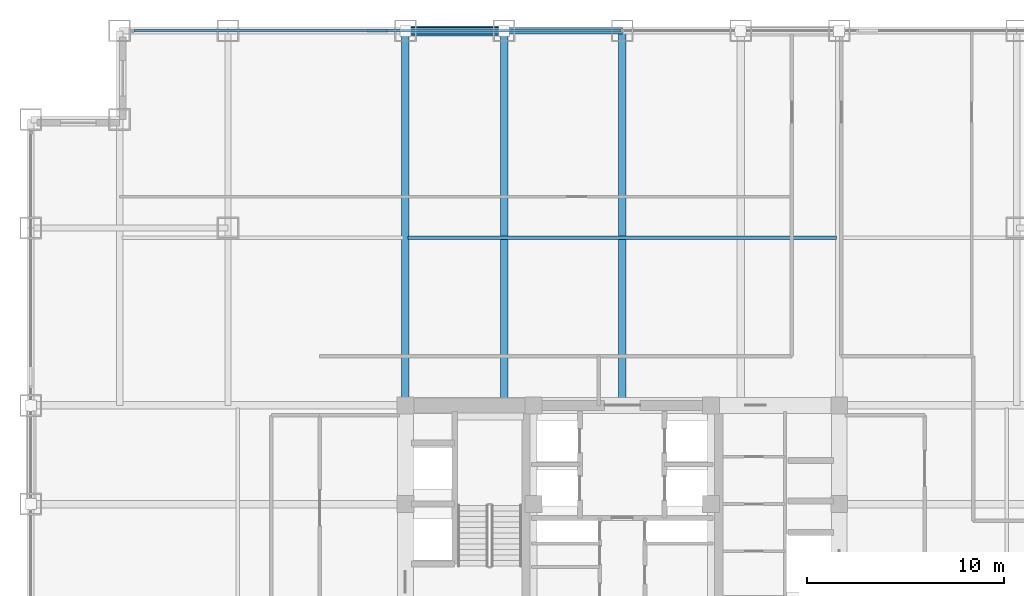
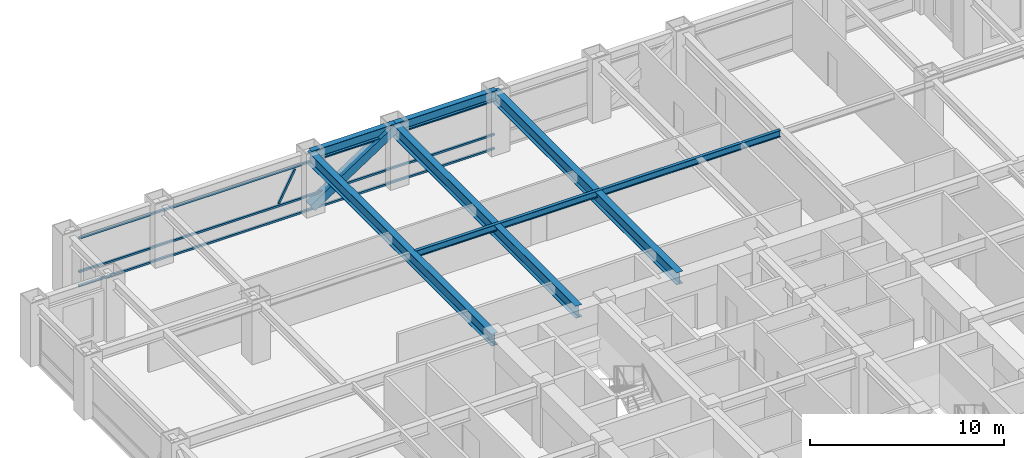
# One storey, part 15 of 25: 6 beams, 5 members, 1 element without a shape of its own.
"""IFC4 building model written with IfcOpenShell, lengths in metres."""

from ifc_helpers import new_model, si_unit, direction, frame, origin, origin_2d, place, context, subcontext, project, spatial, hollow_rectangle, i_section, extrude, source, transform, mapped, material, material_profile, profile_set, type_object, element, aggregate, save


model = new_model("IFC4")

# Units and contexts
model_context = context("Model", 3, precision=1e-05, world=origin(), true_north=direction((0.0, 1.0)))
body_context = subcontext(model_context, "Body", "Model", "MODEL_VIEW")
ifc_project = project(units=[si_unit("LENGTHUNIT", "METRE"), si_unit("AREAUNIT", "SQUARE_METRE"), si_unit("VOLUMEUNIT", "CUBIC_METRE"), si_unit("PLANEANGLEUNIT", "RADIAN"), si_unit("MASSUNIT", "GRAM", prefix="KILO")], contexts=[model_context])

# Site, building, storey
site_placement = place(None, origin())
site = spatial("IfcSite", under=ifc_project, at=site_placement, CompositionType="ELEMENT")
building_placement = place(site_placement, origin())
building = spatial("IfcBuilding", under=site, at=building_placement, Name="Khorayat Bourse Tower", CompositionType="ELEMENT")
storey_placement = place(building_placement, frame((0.0, 0.0, 195.10009765625)))
storey = spatial("IfcBuildingStorey", under=building, at=storey_placement, Name="L45", CompositionType="ELEMENT", Elevation=195.10009765625)

# Beams
ifc_material_1 = material(Name="Steel ASTM A992 Grade 50", Category="steel")
ifc_material_profile_1 = material_profile(ifc_material_1, i_section(OverallWidth=0.381103515625, OverallDepth=0.77294921875, WebThickness=0.0166015625, FlangeThickness=0.027587890625, FilletRadius=0.01806640625, at=origin_2d()), Name="W760X257")
ifc_profile_set_1 = profile_set([ifc_material_profile_1], Name="Steel ASTM A992 Grade 50")
beam_type_1 = type_object("IfcBeamType", Name="BM-GIRD-760", PredefinedType="BEAM", material=ifc_profile_set_1)
shared_shape_1 = source(origin(), body_context, "Body", "SweptSolid", [
    extrude(i_section(OverallWidth=0.381103515625, OverallDepth=0.77294921875, WebThickness=0.0166015625, FlangeThickness=0.027587890625, FilletRadius=0.01806640625, at=origin_2d()), origin(), (0.0, 0.0, 1.0), 19.0),
])
for number, where, z_axis, x_axis, name in (
    (1, (-11.0, 11.0, 3.393310546875), (0.0, 1.0, 0.0), (-1.0, 0.0, 0.0), "L45 BM-GIRD-760 BM-L45-RADY-064"),
    (2, (-6.0, 11.0, 3.393310546875), (0.0, 1.0, 0.0), (-1.0, 0.0, 0.0), "L45 BM-GIRD-760 BM-L45-RADY-066"),
    (3, (0.0, 11.0, 3.393310546875), (0.0, 1.0, 0.0), (-1.0, 0.0, 0.0), "L45 BM-GIRD-760 BM-L45-RADY-068"),
):
    element("IfcBeam", number, at=place(storey_placement, frame(where, z_axis=z_axis, x_axis=x_axis)), inside=storey, type_object=beam_type_1, Name=name, PredefinedType="BEAM", context=body_context, shape_type="MappedRepresentation", body=[
        mapped(shared_shape_1, transform((0.0, 0.0, 0.0), scale=1.0)),
    ])
ifc_material_profile_2 = material_profile(ifc_material_1, i_section(OverallWidth=0.180908203125, OverallDepth=0.4169921875, WebThickness=0.010986328125, FlangeThickness=0.018310546875, FilletRadius=0.011962890625, at=origin_2d()), Name="W410X85")
ifc_profile_set_2 = profile_set([ifc_material_profile_2], Name="Steel ASTM A992 Grade 50")
beam_type_2 = type_object("IfcBeamType", Name="BM-JOIST-410", PredefinedType="JOIST", material=ifc_profile_set_2)
shared_shape_2 = source(origin(), body_context, "Body", "SweptSolid", [
    extrude(i_section(OverallWidth=0.180908203125, OverallDepth=0.4169921875, WebThickness=0.010986328125, FlangeThickness=0.018310546875, FilletRadius=0.011962890625, at=origin_2d()), origin(), (0.0, 0.0, 1.0), 21.740234375),
])
beam_1_placement = place(storey_placement, frame((-10.8701171875, 19.5, 3.5712890625), z_axis=(1.0, 0.0, 0.0), x_axis=(0.0, 1.0, 0.0)))
element("IfcBeam", 4, at=beam_1_placement, inside=storey, type_object=beam_type_2, Name="L45 BM-JOIST-410 BM-L45-JSTX-100", PredefinedType="JOIST", context=body_context, shape_type="MappedRepresentation", body=[
    mapped(shared_shape_2, transform((0.0, 0.0, 0.0), scale=1.0)),
])
ifc_material_profile_3 = material_profile(ifc_material_1, i_section(OverallWidth=0.324951171875, OverallDepth=0.615966796875, WebThickness=0.013916015625, FlangeThickness=0.021484375, FilletRadius=0.01611328125, at=origin_2d()), Name="W610X174")
ifc_profile_set_3 = profile_set([ifc_material_profile_3], Name="Steel ASTM A992 Grade 50")
beam_type_3 = type_object("IfcBeamType", Name="BM-SPAN-610", PredefinedType="SPANDREL", material=ifc_profile_set_3)
shared_shape_3 = source(origin(), body_context, "Body", "SweptSolid", [
    extrude(i_section(OverallWidth=0.324951171875, OverallDepth=0.615966796875, WebThickness=0.013916015625, FlangeThickness=0.021484375, FilletRadius=0.01611328125, at=origin_2d()), origin(), (0.0, 0.0, 1.0), 5.0),
])
beam_2_placement = place(storey_placement, frame((-11.0, 30.0, 3.471923828125), z_axis=(1.0, 0.0, 0.0), x_axis=(0.0, 1.0, 0.0)))
element("IfcBeam", 5, at=beam_2_placement, inside=storey, type_object=beam_type_3, Name="L45 BM-SPAN-610 BM-L45-SPN-049", PredefinedType="SPANDREL", context=body_context, shape_type="MappedRepresentation", body=[
    mapped(shared_shape_3, transform((0.0, 0.0, 0.0), scale=1.0)),
])
shared_shape_4 = source(origin(), body_context, "Body", "SweptSolid", [
    extrude(i_section(OverallWidth=0.324951171875, OverallDepth=0.615966796875, WebThickness=0.013916015625, FlangeThickness=0.021484375, FilletRadius=0.01611328125, at=origin_2d()), origin(), (0.0, 0.0, 1.0), 6.0),
])
beam_3_placement = place(storey_placement, frame((-6.0, 30.0, 3.471923828125), z_axis=(1.0, 0.0, 0.0), x_axis=(0.0, 1.0, 0.0)))
element("IfcBeam", 6, at=beam_3_placement, inside=storey, type_object=beam_type_3, Name="L45 BM-SPAN-610 BM-L45-SPN-048", PredefinedType="SPANDREL", context=body_context, shape_type="MappedRepresentation", body=[
    mapped(shared_shape_4, transform((0.0, 0.0, 0.0), scale=1.0)),
])

# Member
ifc_material_2 = material(Name="Steel EN 10025-4 S460M", Category="steel")
ifc_material_profile_4 = material_profile(ifc_material_2, hollow_rectangle(XDim=0.5, YDim=0.5, WallThickness=0.028076171875, at=origin_2d()), Name="HSS 500x500x28")
ifc_profile_set_4 = profile_set([ifc_material_profile_4], Name="Steel EN 10025-4 S460M")
member_type_1 = type_object("IfcMemberType", Name="MBR-TUBE-500", PredefinedType="BRACE", material=ifc_profile_set_4)
shared_shape_5 = source(origin(), body_context, "Body", "SweptSolid", [
    extrude(hollow_rectangle(XDim=0.5, YDim=0.5, WallThickness=0.028076171875, at=origin_2d()), origin(), (0.0, 0.0, 1.0), 5.979736328125),
])
member_1_placement = place(storey_placement, frame((-11.0, 30.0, 0.25), z_axis=(0.836160261256, 0.0, 0.548485202623), x_axis=(0.0, 1.0, 0.0)))
element("IfcMember", 7, at=member_1_placement, inside=storey, type_object=member_type_1, Name="L45 Perimeter Tube Brace 03", PredefinedType="BRACE", context=body_context, shape_type="MappedRepresentation", body=[
    mapped(shared_shape_5, transform((0.0, 0.0, 0.0), scale=1.0)),
])

# Curtain wall, members
ifc_material_3 = material(Name="Aluminium EN AW-6063 T6", Category="aluminium")
curtain_wall_type = type_object("IfcCurtainWallType", Name="CW-SYS-03", PredefinedType="NOTDEFINED", material=ifc_material_3)
curtain_wall_placement = place(storey_placement, origin())
curtain_wall = element("IfcCurtainWall", 8, at=curtain_wall_placement, inside=storey, type_object=curtain_wall_type, Name="L45 Curtain Wall CW-L45-N1", PredefinedType="NOTDEFINED")
ifc_material_profile_5 = material_profile(ifc_material_3, hollow_rectangle(XDim=0.1201171875, YDim=0.1201171875, WallThickness=0.0048828125, at=origin_2d()), Name="ALU 120x120x5")
ifc_profile_set_5 = profile_set([ifc_material_profile_5], Name="Aluminium EN AW-6063 T6")
member_type_2 = type_object("IfcMemberType", Name="CWM-DIAG-120", PredefinedType="MULLION", material=ifc_profile_set_5)
shared_shape_6 = source(origin(), body_context, "Body", "SweptSolid", [
    extrude(hollow_rectangle(XDim=0.1201171875, YDim=0.1201171875, WallThickness=0.0048828125, at=origin_2d()), origin(), (0.0, 0.0, 1.0), 2.079345703125),
])
member_2_placement = place(storey_placement, frame((-12.904296875, 30.0, 1.08984375), z_axis=(0.465760949701, 0.0, 0.884910581773), x_axis=(0.0, 1.0, 0.0)))
member_2 = element("IfcMember", 9, at=member_2_placement, type_object=member_type_2, Name="CW-L45-N1 Faceted Diagonal Mullion 1", PredefinedType="MULLION", context=body_context, shape_type="MappedRepresentation", body=[
    mapped(shared_shape_6, transform((0.0, 0.0, 0.0), scale=1.0)),
])
ifc_material_profile_6 = material_profile(ifc_material_3, hollow_rectangle(XDim=0.1201171875, YDim=0.1201171875, WallThickness=0.0048828125, at=origin_2d()), Name="ALU 120x120x5")
ifc_profile_set_6 = profile_set([ifc_material_profile_6], Name="Aluminium EN AW-6063 T6")
member_type_3 = type_object("IfcMemberType", Name="CWT-HORZ-120", PredefinedType="USERDEFINED", material=ifc_profile_set_6)
shared_shape_7 = source(origin(), body_context, "Body", "SweptSolid", [
    extrude(hollow_rectangle(XDim=0.1201171875, YDim=0.1201171875, WallThickness=0.0048828125, at=origin_2d()), origin(), (0.0, 0.0, 1.0), 24.719970703125),
])
member_3_placement = place(storey_placement, frame((-24.780029296875, 30.0, 0.059814453125), z_axis=(1.0, 0.0, 0.0), x_axis=(0.0, 1.0, 0.0)))
member_3 = element("IfcMember", 10, at=member_3_placement, type_object=member_type_3, Name="CW-L45-N1 Horizontal Transom 1-1", ObjectType="TRANSOM", PredefinedType="USERDEFINED", context=body_context, shape_type="MappedRepresentation", body=[
    mapped(shared_shape_7, transform((0.0, 0.0, 0.0), scale=1.0)),
])
member_4_placement = place(storey_placement, frame((-24.780029296875, 30.0, 0.949951171875), z_axis=(1.0, 0.0, 0.0), x_axis=(0.0, 1.0, 0.0)))
member_4 = element("IfcMember", 11, at=member_4_placement, type_object=member_type_3, Name="CW-L45-N1 Horizontal Transom 1-2", ObjectType="TRANSOM", PredefinedType="USERDEFINED", context=body_context, shape_type="MappedRepresentation", body=[
    mapped(shared_shape_7, transform((0.0, 0.0, 0.0), scale=1.0)),
])
member_5_placement = place(storey_placement, frame((-24.780029296875, 30.0, 3.06982421875), z_axis=(1.0, 0.0, 0.0), x_axis=(0.0, 1.0, 0.0)))
member_5 = element("IfcMember", 12, at=member_5_placement, type_object=member_type_3, Name="CW-L45-N1 Horizontal Transom 1-3", ObjectType="TRANSOM", PredefinedType="USERDEFINED", context=body_context, shape_type="MappedRepresentation", body=[
    mapped(shared_shape_7, transform((0.0, 0.0, 0.0), scale=1.0)),
])
aggregate(curtain_wall, [member_3, member_4, member_5, member_2])

save(model, "model.ifc")
